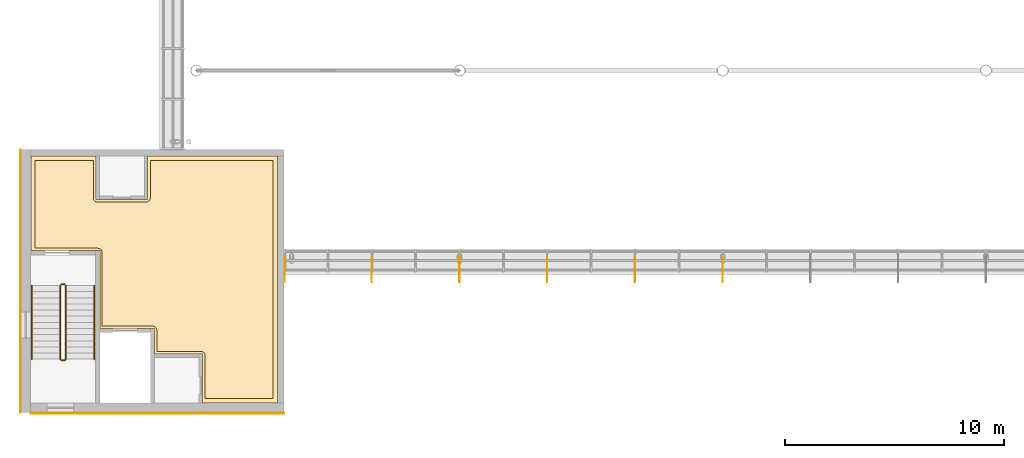
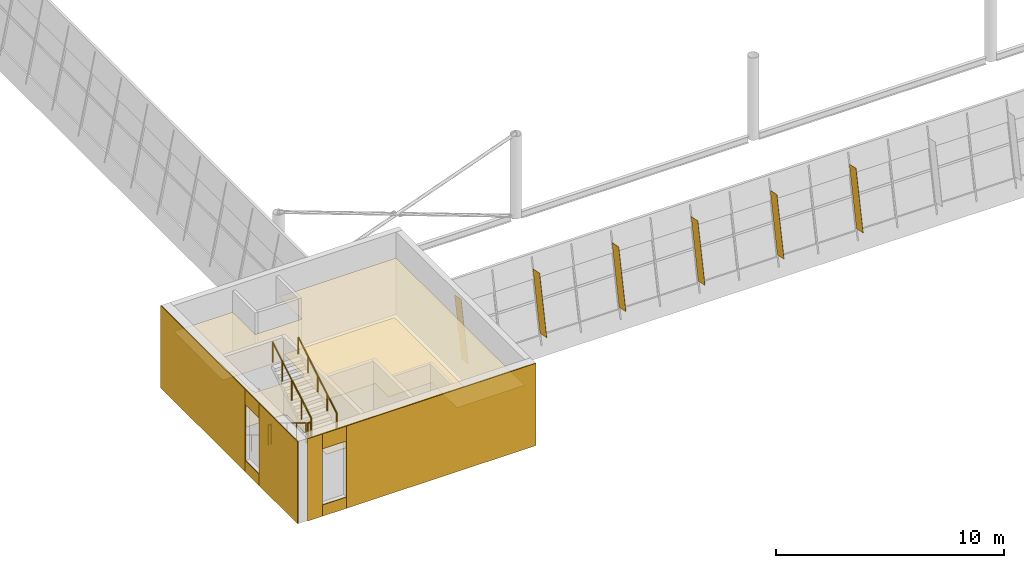
# One storey, part 43 of 50: 10 coverings, 6 railings, 6 shading devices.
"""IFC4 building model written with IfcOpenShell, lengths in metres."""

from ifc_helpers import new_model, si_unit, direction, frame, origin, origin_2d, place, context, subcontext, project, spatial, polyline, rectangle, circle, outline, extrude, material, layer, layer_set, material_profile, profile_set, type_object, element, save


model = new_model("IFC4")

# Units and contexts
model_context = context("Model", 3, precision=1e-05, world=origin(), true_north=direction((0.0, 1.0)))
body_context = subcontext(model_context, "Body", "Model", "MODEL_VIEW")
ifc_project = project(units=[si_unit("LENGTHUNIT", "METRE"), si_unit("AREAUNIT", "SQUARE_METRE"), si_unit("VOLUMEUNIT", "CUBIC_METRE"), si_unit("PLANEANGLEUNIT", "RADIAN"), si_unit("MASSUNIT", "GRAM", prefix="KILO")], contexts=[model_context])

# Site, building, storey
site_placement = place(None, origin())
site = spatial("IfcSite", under=ifc_project, at=site_placement, CompositionType="ELEMENT")
building_placement = place(site_placement, origin())
building = spatial("IfcBuilding", under=site, at=building_placement, Name="Windward Yard Aquatics Centre", CompositionType="ELEMENT")
storey_placement = place(building_placement, frame((0.0, 0.0, 18.199951171875)))
storey = spatial("IfcBuildingStorey", under=building, at=storey_placement, Name="L04", CompositionType="ELEMENT", Elevation=18.199951171875)

# Covering
ifc_material_1 = material(Name="Polished screed")
ifc_layer_1 = layer(ifc_material_1, 0.0400390625)
ifc_layer_set_1 = layer_set([ifc_layer_1], Name="H Floor Finish Screed 40")
covering_type_1 = type_object("IfcCoveringType", Name="H Floor Finish Screed 40", PredefinedType="FLOORING", material=ifc_layer_set_1)
covering_1_placement = place(storey_placement, origin())
element("IfcCovering", 1, at=covering_1_placement, inside=storey, type_object=covering_type_1, Name="Core Lobby SW floor finish", PredefinedType="FLOORING", context=body_context, shape_type="SweptSolid", body=[
    extrude(outline(polyline([(52.64990234375, 33.5), (52.64990234375, 37.5), (55.300048828125, 37.5), (55.301025390625, 35.780517578125), (55.30859375, 35.741943359375), (55.323486328125, 35.705810546875), (55.345458984375, 35.673095703125), (55.373046875, 35.6455078125), (55.388916015625, 35.6337890625), (55.423583984375, 35.615234375), (55.4609375, 35.603759765625), (55.5, 35.60009765625), (57.699951171875, 35.60009765625), (57.739013671875, 35.603759765625), (57.776611328125, 35.615234375), (57.81103515625, 35.6337890625), (57.826904296875, 35.6455078125), (57.8544921875, 35.673095703125), (57.87646484375, 35.705810546875), (57.891357421875, 35.741943359375), (57.89892578125, 35.780517578125), (57.89990234375, 35.800048828125), (57.89990234375, 37.5), (63.5, 37.5), (63.5, 26.64990234375), (60.39990234375, 26.64990234375), (60.39990234375, 28.60009765625), (60.39892578125, 28.61962890625), (60.391357421875, 28.658203125), (60.37646484375, 28.6943359375), (60.3544921875, 28.726806640625), (60.326904296875, 28.754638671875), (60.31103515625, 28.766357421875), (60.294189453125, 28.7763671875), (60.258056640625, 28.79150390625), (60.239013671875, 28.796142578125), (60.199951171875, 28.800048828125), (58.199951171875, 28.800048828125), (58.198974609375, 29.76953125), (58.19140625, 29.80810546875), (58.184814453125, 29.826416015625), (58.166259765625, 29.861083984375), (58.154541015625, 29.876953125), (58.126953125, 29.904541015625), (58.111083984375, 29.916259765625), (58.09423828125, 29.926513671875), (58.05810546875, 29.94140625), (58.0390625, 29.9462890625), (58.0, 29.949951171875), (55.699951171875, 29.949951171875), (55.699951171875, 33.300048828125), (55.698974609375, 33.319580078125), (55.69140625, 33.358154296875), (55.676513671875, 33.394287109375), (55.654541015625, 33.427001953125), (55.626953125, 33.45458984375), (55.611083984375, 33.46630859375), (55.576416015625, 33.48486328125), (55.5390625, 33.49609375), (55.5, 33.5), (52.64990234375, 33.5)])), origin(), (0.0, 0.0, 1.0), 0.02001953125),
])

# Railings
ifc_material_2 = material(Name="Stainless steel 1.4529", Category="steel")
railing_type_1 = type_object("IfcRailingType", Name="H Guard Steel 1100", PredefinedType="GUARDRAIL", material=ifc_material_2)
railing_1_placement = place(storey_placement, frame((53.800048828125, 31.800048828125, 0.169189453125)))
element("IfcRailing", 2, at=railing_1_placement, inside=storey, type_object=railing_type_1, Name="L04 ST1 stair guard 1", PredefinedType="GUARDRAIL", context=body_context, shape_type="SweptSolid", body=[
    extrude(circle(Radius=0.02392578125, at=origin_2d()), frame((0.0, 0.0, 1.076171875), z_axis=(0.0, -0.855836976705, 0.517245656632), x_axis=(1.0, 0.0, 0.0)), (0.0, 0.0, 1.0), 3.926025390625),
    extrude(circle(Radius=0.02099609375, at=origin_2d()), origin(), (0.0, 0.0, 1.0), 1.052001953125),
    extrude(circle(Radius=0.02099609375, at=origin_2d()), frame((0.0, -0.840087890625, 0.5078125)), (0.0, 0.0, 1.0), 1.052001953125),
    extrude(circle(Radius=0.02099609375, at=origin_2d()), frame((0.0, -1.68017578125, 1.015380859375)), (0.0, 0.0, 1.0), 1.052001953125),
    extrude(circle(Radius=0.02099609375, at=origin_2d()), frame((0.0, -2.52001953125, 1.52294921875)), (0.0, 0.0, 1.0), 1.052001953125),
    extrude(circle(Radius=0.02099609375, at=origin_2d()), frame((0.0, -3.360107421875, 2.03076171875)), (0.0, 0.0, 1.0), 1.052001953125),
])
railing_2_placement = place(storey_placement, frame((53.85009765625, 28.389892578125, 2.199951171875)))
element("IfcRailing", 3, at=railing_2_placement, inside=storey, type_object=railing_type_1, Name="L04 ST1 stair guard 2", PredefinedType="GUARDRAIL", context=body_context, shape_type="SweptSolid", body=[
    extrude(circle(Radius=0.02392578125, at=origin_2d()), frame((0.0, 0.0, 1.076171875), z_axis=(1.0, 0.0, 0.0), x_axis=(0.0, 1.0, 0.0)), (0.0, 0.0, 1.0), 0.14990234375),
    extrude(circle(Radius=0.02099609375, at=origin_2d()), origin(), (0.0, 0.0, 1.0), 1.052001953125),
    extrude(circle(Radius=0.02099609375, at=origin_2d()), frame((0.14990234375, 0.0, 0.0)), (0.0, 0.0, 1.0), 1.052001953125),
])
railing_3_placement = place(storey_placement, frame((54.050048828125, 28.43994140625, 2.369384765625)))
element("IfcRailing", 4, at=railing_3_placement, inside=storey, type_object=railing_type_1, Name="L04 ST1 stair guard 3", PredefinedType="GUARDRAIL", context=body_context, shape_type="SweptSolid", body=[
    extrude(circle(Radius=0.02392578125, at=origin_2d()), frame((0.0, 0.0, 1.076171875), z_axis=(0.0, 0.855836976705, 0.517245656632), x_axis=(-1.0, 0.0, 0.0)), (0.0, 0.0, 1.0), 3.926025390625),
    extrude(circle(Radius=0.02099609375, at=origin_2d()), origin(), (0.0, 0.0, 1.0), 1.052001953125),
    extrude(circle(Radius=0.02099609375, at=origin_2d()), frame((0.0, 0.840087890625, 0.5078125)), (0.0, 0.0, 1.0), 1.052001953125),
    extrude(circle(Radius=0.02099609375, at=origin_2d()), frame((0.0, 1.68017578125, 1.015380859375)), (0.0, 0.0, 1.0), 1.052001953125),
    extrude(circle(Radius=0.02099609375, at=origin_2d()), frame((0.0, 2.52001953125, 1.52294921875)), (0.0, 0.0, 1.0), 1.052001953125),
    extrude(circle(Radius=0.02099609375, at=origin_2d()), frame((0.0, 3.360107421875, 2.03076171875)), (0.0, 0.0, 1.0), 1.052001953125),
])
railing_4_placement = place(storey_placement, frame((53.85009765625, 31.85009765625, 0.0)))
element("IfcRailing", 5, at=railing_4_placement, inside=storey, type_object=railing_type_1, Name="L04 ST1 stair guard 4", PredefinedType="GUARDRAIL", context=body_context, shape_type="SweptSolid", body=[
    extrude(circle(Radius=0.02392578125, at=origin_2d()), frame((0.0, 0.0, 1.076171875), z_axis=(1.0, 0.0, 0.0), x_axis=(0.0, 1.0, 0.0)), (0.0, 0.0, 1.0), 0.14990234375),
    extrude(circle(Radius=0.02099609375, at=origin_2d()), origin(), (0.0, 0.0, 1.0), 1.052001953125),
    extrude(circle(Radius=0.02099609375, at=origin_2d()), frame((0.14990234375, 0.0, 0.0)), (0.0, 0.0, 1.0), 1.052001953125),
])
railing_type_2 = type_object("IfcRailingType", Name="H Handrail Steel 900", PredefinedType="HANDRAIL", material=ifc_material_2)
railing_5_placement = place(storey_placement, frame((52.5, 31.800048828125, 0.169189453125)))
element("IfcRailing", 6, at=railing_5_placement, inside=storey, type_object=railing_type_2, Name="L04 ST1 stair handrail 1", PredefinedType="HANDRAIL", context=body_context, shape_type="SweptSolid", body=[
    extrude(circle(Radius=0.02392578125, at=origin_2d()), frame((0.0, 0.0, 0.8759765625), z_axis=(0.0, -0.855836976705, 0.517245656632), x_axis=(1.0, 0.0, 0.0)), (0.0, 0.0, 1.0), 3.926025390625),
    extrude(circle(Radius=0.02099609375, at=origin_2d()), origin(), (0.0, 0.0, 1.0), 0.851806640625),
    extrude(circle(Radius=0.02099609375, at=origin_2d()), frame((0.0, -0.840087890625, 0.5078125)), (0.0, 0.0, 1.0), 0.851806640625),
    extrude(circle(Radius=0.02099609375, at=origin_2d()), frame((0.0, -1.68017578125, 1.015380859375)), (0.0, 0.0, 1.0), 0.851806640625),
    extrude(circle(Radius=0.02099609375, at=origin_2d()), frame((0.0, -2.52001953125, 1.52294921875)), (0.0, 0.0, 1.0), 0.851806640625),
    extrude(circle(Radius=0.02099609375, at=origin_2d()), frame((0.0, -3.360107421875, 2.03076171875)), (0.0, 0.0, 1.0), 0.851806640625),
])
railing_6_placement = place(storey_placement, frame((55.35009765625, 28.43994140625, 2.369384765625)))
element("IfcRailing", 7, at=railing_6_placement, inside=storey, type_object=railing_type_2, Name="L04 ST1 stair handrail 2", PredefinedType="HANDRAIL", context=body_context, shape_type="SweptSolid", body=[
    extrude(circle(Radius=0.02392578125, at=origin_2d()), frame((0.0, 0.0, 0.8759765625), z_axis=(0.0, 0.855836976705, 0.517245656632), x_axis=(-1.0, 0.0, 0.0)), (0.0, 0.0, 1.0), 3.926025390625),
    extrude(circle(Radius=0.02099609375, at=origin_2d()), origin(), (0.0, 0.0, 1.0), 0.851806640625),
    extrude(circle(Radius=0.02099609375, at=origin_2d()), frame((0.0, 0.840087890625, 0.5078125)), (0.0, 0.0, 1.0), 0.851806640625),
    extrude(circle(Radius=0.02099609375, at=origin_2d()), frame((0.0, 1.68017578125, 1.015380859375)), (0.0, 0.0, 1.0), 0.851806640625),
    extrude(circle(Radius=0.02099609375, at=origin_2d()), frame((0.0, 2.52001953125, 1.52294921875)), (0.0, 0.0, 1.0), 0.851806640625),
    extrude(circle(Radius=0.02099609375, at=origin_2d()), frame((0.0, 3.360107421875, 2.03076171875)), (0.0, 0.0, 1.0), 0.851806640625),
])

# Covering
ifc_material_3 = material(Name="Mineral fibre tile")
ifc_layer_2 = layer(ifc_material_3, 0.02001953125)
ifc_layer_set_2 = layer_set([ifc_layer_2], Name="H Suspended Ceiling 600 x 600")
covering_type_2 = type_object("IfcCoveringType", Name="H Suspended Ceiling 600 x 600", PredefinedType="CEILING", material=ifc_layer_set_2)
covering_2_placement = place(storey_placement, frame((0.0, 0.0, 3.0)))
element("IfcCovering", 8, at=covering_2_placement, inside=storey, type_object=covering_type_2, Name="Core Lobby SW ceiling", PredefinedType="CEILING", context=body_context, shape_type="SweptSolid", body=[
    extrude(outline(polyline([(52.450439453125, 33.400390625), (52.450439453125, 37.699462890625), (55.424560546875, 37.699462890625), (55.424560546875, 35.72509765625), (55.574951171875, 35.724609375), (57.775390625, 35.72509765625), (57.775390625, 37.699462890625), (63.699462890625, 37.699462890625), (63.699462890625, 26.450439453125), (60.275390625, 26.450439453125), (60.275390625, 28.675048828125), (58.1005859375, 28.675537109375), (58.1005859375, 29.85009765625), (55.6005859375, 29.8505859375), (55.6005859375, 33.39990234375), (52.450439453125, 33.400390625)])), origin(), (0.0, 0.0, 1.0), 0.02001953125),
])

# Shading devices
ifc_material_4 = material(Name="Aluminium plate 6061-T6 anodised", Category="aluminium")
ifc_material_profile = material_profile(ifc_material_4, rectangle(XDim=0.011962890625, YDim=0.60009765625, at=origin_2d()), Name="H eave fin aluminium 12x600")
ifc_profile_set = profile_set([ifc_material_profile], Name="Aluminium plate 6061-T6 anodised")
shading_device_type = type_object("IfcShadingDeviceType", Name="H eave fin aluminium 12x600", PredefinedType="USERDEFINED", material=ifc_profile_set)
for number, where, z_axis, x_axis, name in (
    (9, (64.032470703125, 32.24267578125, 0.665771484375), (0.0, 0.199392753215, 0.979919654852), (-1.0, 0.0, 0.0), "Eave fin S A1"),
    (10, (67.99951171875, 32.24267578125, 0.665771484375), (0.0, 0.199392753215, 0.979919654852), (-1.0, 0.0, 0.0), "Eave fin S A2"),
    (11, (71.9990234375, 32.24267578125, 0.665771484375), (0.0, 0.199392753215, 0.979919654852), (-1.0, 0.0, 0.0), "Eave fin S A3"),
    (12, (75.99853515625, 32.24267578125, 0.665771484375), (0.0, 0.199392753215, 0.979919654852), (-1.0, 0.0, 0.0), "Eave fin S A4"),
    (13, (79.997802734375, 32.24267578125, 0.665771484375), (0.0, 0.199392753215, 0.979919654852), (-1.0, 0.0, 0.0), "Eave fin S A5"),
    (14, (83.997314453125, 32.24267578125, 0.665771484375), (0.0, 0.199392753215, 0.979919654852), (-1.0, 0.0, 0.0), "Eave fin S A6"),
):
    element("IfcShadingDevice", number, at=place(storey_placement, frame(where, z_axis=z_axis, x_axis=x_axis)), inside=storey, type_object=shading_device_type, Name=name, ObjectType="FIN", PredefinedType="USERDEFINED", context=body_context, shape_type="SweptSolid", body=[
        extrude(rectangle(XDim=0.011962890625, YDim=0.60009765625, at=origin_2d()), origin(), (0.0, 0.0, 1.0), 3.136962890625),
    ])

# Coverings
ifc_material_5 = material(Name="Natural limestone cladding", Category="masonry")
ifc_layer_3 = layer(ifc_material_5, 0.0400390625)
ifc_layer_set_3 = layer_set([ifc_layer_3], Name="H natural stone cladding 40")
covering_type_3 = type_object("IfcCoveringType", Name="H natural stone cladding 40", PredefinedType="CLADDING", material=ifc_layer_set_3)
covering_3_placement = place(storey_placement, origin())
element("IfcCovering", 15, at=covering_3_placement, inside=storey, type_object=covering_type_3, Name="Stone cladding panel 127", PredefinedType="CLADDING", context=body_context, shape_type="SweptSolid", body=[
    extrude(outline(polyline([(52.449951171875, 25.9599609375), (52.449951171875, 26.0), (53.199951171875, 26.0), (53.199951171875, 25.9599609375), (52.449951171875, 25.9599609375)])), origin(), (0.0, 0.0, 1.0), 4.400146484375),
])
covering_4_placement = place(storey_placement, origin())
element("IfcCovering", 16, at=covering_4_placement, inside=storey, type_object=covering_type_3, Name="Stone cladding panel 128", PredefinedType="CLADDING", context=body_context, shape_type="SweptSolid", body=[
    extrude(outline(polyline([(53.199951171875, 25.9599609375), (53.199951171875, 26.0), (54.39990234375, 26.0), (54.39990234375, 25.9599609375), (53.199951171875, 25.9599609375)])), origin(), (0.0, 0.0, 1.0), 0.60009765625),
])
covering_5_placement = place(storey_placement, frame((0.0, 0.0, 3.60009765625)))
element("IfcCovering", 17, at=covering_5_placement, inside=storey, type_object=covering_type_3, Name="Stone cladding panel 129", PredefinedType="CLADDING", context=body_context, shape_type="SweptSolid", body=[
    extrude(outline(polyline([(53.199951171875, 25.9599609375), (53.199951171875, 26.0), (54.39990234375, 26.0), (54.39990234375, 25.9599609375), (53.199951171875, 25.9599609375)])), origin(), (0.0, 0.0, 1.0), 0.800048828125),
])
covering_6_placement = place(storey_placement, origin())
element("IfcCovering", 18, at=covering_6_placement, inside=storey, type_object=covering_type_3, Name="Stone cladding panel 130", PredefinedType="CLADDING", context=body_context, shape_type="SweptSolid", body=[
    extrude(outline(polyline([(54.39990234375, 25.9599609375), (54.39990234375, 26.0), (64.0, 26.0), (64.0, 25.9599609375), (54.39990234375, 25.9599609375)])), origin(), (0.0, 0.0, 1.0), 4.400146484375),
])
covering_7_placement = place(storey_placement, origin())
element("IfcCovering", 19, at=covering_7_placement, inside=storey, type_object=covering_type_3, Name="Stone cladding panel 153", PredefinedType="CLADDING", context=body_context, shape_type="SweptSolid", body=[
    extrude(outline(polyline([(51.9599609375, 26.0), (52.0, 26.0), (52.0, 29.39990234375), (51.9599609375, 29.39990234375), (51.9599609375, 26.0)])), origin(), (0.0, 0.0, 1.0), 4.400146484375),
])
covering_8_placement = place(storey_placement, origin())
element("IfcCovering", 20, at=covering_8_placement, inside=storey, type_object=covering_type_3, Name="Stone cladding panel 154", PredefinedType="CLADDING", context=body_context, shape_type="SweptSolid", body=[
    extrude(outline(polyline([(51.9599609375, 29.39990234375), (52.0, 29.39990234375), (52.0, 30.60009765625), (51.9599609375, 30.60009765625), (51.9599609375, 29.39990234375)])), origin(), (0.0, 0.0, 1.0), 0.60009765625),
])
covering_9_placement = place(storey_placement, frame((0.0, 0.0, 3.60009765625)))
element("IfcCovering", 21, at=covering_9_placement, inside=storey, type_object=covering_type_3, Name="Stone cladding panel 155", PredefinedType="CLADDING", context=body_context, shape_type="SweptSolid", body=[
    extrude(outline(polyline([(51.9599609375, 29.39990234375), (52.0, 29.39990234375), (52.0, 30.60009765625), (51.9599609375, 30.60009765625), (51.9599609375, 29.39990234375)])), origin(), (0.0, 0.0, 1.0), 0.800048828125),
])
covering_10_placement = place(storey_placement, origin())
element("IfcCovering", 22, at=covering_10_placement, inside=storey, type_object=covering_type_3, Name="Stone cladding panel 156", PredefinedType="CLADDING", context=body_context, shape_type="SweptSolid", body=[
    extrude(outline(polyline([(51.9599609375, 30.60009765625), (52.0, 30.60009765625), (52.0, 38.0), (51.9599609375, 38.0), (51.9599609375, 30.60009765625)])), origin(), (0.0, 0.0, 1.0), 4.400146484375),
])

save(model, "model.ifc")
